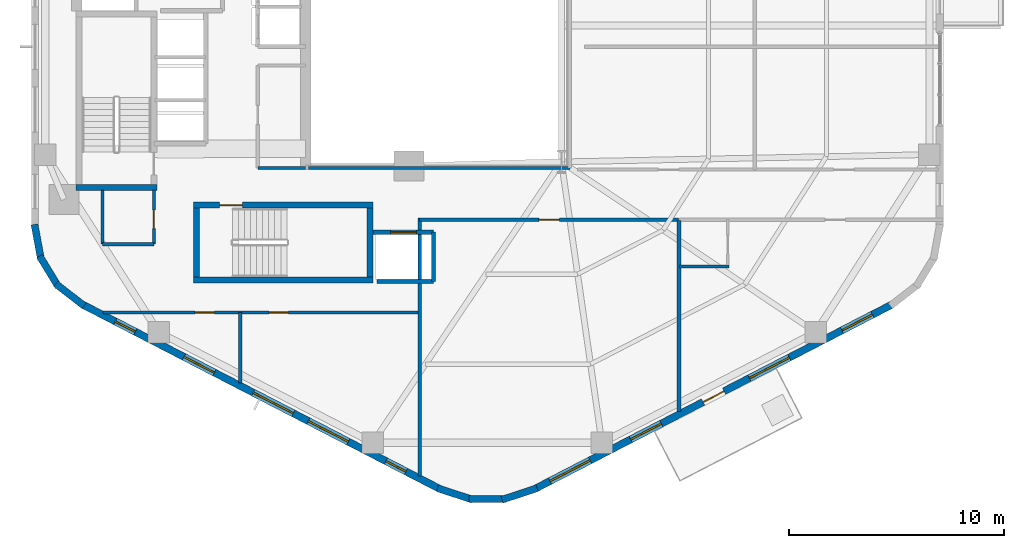
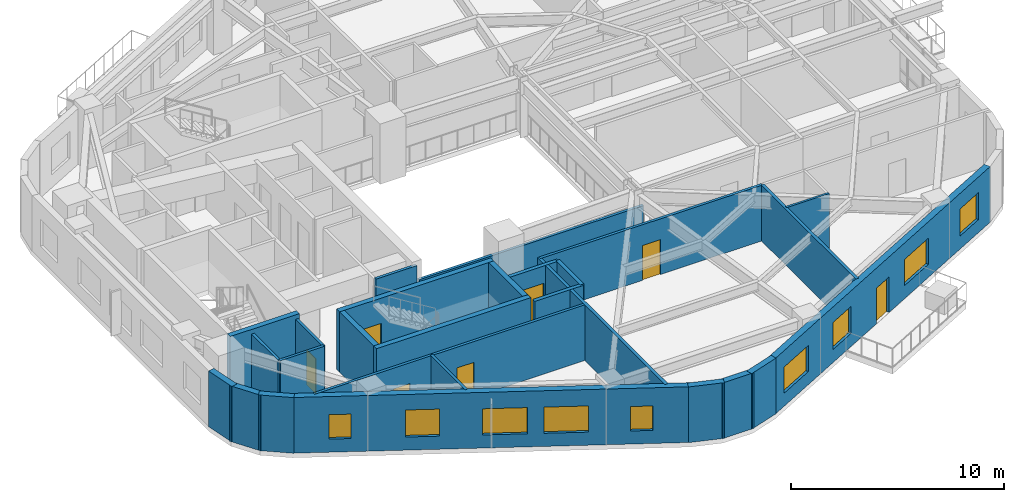
# One storey, part 4 of 10: 27 walls, 9 windows, 7 doors, 16 openings.
"""IFC4 building model written with IfcOpenShell, lengths in metres."""

import ifcopenshell
import ifcopenshell.guid

model = None  # the IFC model being written
_history = None  # IfcOwnerHistory: only IFC2X3 demands one
_inside = {}  # id of a spatial element -> (the spatial element, [elements in it])
_under = {}  # id of a project, library or spatial element -> (it, [spatial elements below it])
_declared = {}  # id of a project -> (the project, [libraries it declares])
_typed = {}  # id of a type object -> (the type object, [elements of that type])
_made_of = {}  # id of a material, layer set ... -> (it, [elements and type objects made of it])


def new_model(schema):
    """Start an empty IFC model of exactly this schema.

    Asked for "IFC4X3", IfcOpenShell would pick the latest addendum, in which some entities
    have other attributes; the version numbers below select the first issue.
    IFC2X3 requires an IfcOwnerHistory on every rooted entity: one is made here for all.
    """
    global model, _history
    if schema == "IFC4X3":
        model = ifcopenshell.file(schema_version=(4, 3, 0, 0))
    else:
        model = ifcopenshell.file(schema=schema)
    _inside.clear()
    _under.clear()
    _declared.clear()
    _typed.clear()
    _made_of.clear()
    _history = None
    if model.schema == "IFC2X3":
        org = make("IfcOrganization", Name="unknown")
        user = make(
            "IfcPersonAndOrganization",
            ThePerson=make("IfcPerson", FamilyName="unknown"),
            TheOrganization=org,
        )
        app = make(
            "IfcApplication",
            ApplicationDeveloper=org,
            Version="unknown",
            ApplicationFullName="unknown",
            ApplicationIdentifier="unknown",
        )
        _history = make(
            "IfcOwnerHistory",
            OwningUser=user,
            OwningApplication=app,
            ChangeAction="ADDED",
            CreationDate=0,
        )
    return model


def make(cls, **values):
    """One entity of the class cls with the attributes given. An attribute that is None is left unset."""
    return model.create_entity(
        cls, **{name: value for name, value in values.items() if value is not None}
    )


def rooted(cls, **values):
    """An entity with a GlobalId (a new one), such as an element, a storey or a relation."""
    return make(cls, GlobalId=ifcopenshell.guid.new(), OwnerHistory=_history, **values)


def si_unit(unit_type, name, prefix=None):
    """IfcSIUnit, for example si_unit("LENGTHUNIT", "METRE", prefix="MILLI")."""
    return make("IfcSIUnit", UnitType=unit_type, Prefix=prefix, Name=name)


def assignment(units):
    """IfcUnitAssignment: the units of a project."""
    return None if units is None else make("IfcUnitAssignment", Units=units)


def point(xyz):
    """IfcCartesianPoint."""
    return None if xyz is None else make("IfcCartesianPoint", Coordinates=xyz)


def direction(xyz):
    """IfcDirection."""
    return None if xyz is None else make("IfcDirection", DirectionRatios=xyz)


def frame(location, z_axis=None, x_axis=None):
    """IfcAxis2Placement3D, a coordinate frame: its origin and axes. An axis left out is left unset."""
    return make(
        "IfcAxis2Placement3D",
        Location=point(location),
        Axis=direction(z_axis),
        RefDirection=direction(x_axis),
    )


def frame_2d(location, x_axis=None):
    """IfcAxis2Placement2D, a coordinate frame in the plane: its origin and x axis."""
    return make(
        "IfcAxis2Placement2D", Location=point(location), RefDirection=direction(x_axis)
    )


def origin():
    """The frame at (0, 0, 0) with its axes left unset."""
    return frame((0.0, 0.0, 0.0))


def place(relative_to, where):
    """IfcLocalPlacement: puts the frame where relative to a parent placement (None: the world)."""
    return make(
        "IfcLocalPlacement", PlacementRelTo=relative_to, RelativePlacement=where
    )


def context(
    kind, dimensions, precision=None, world=None, true_north=None, identifier=None
):
    """IfcGeometricRepresentationContext, for example the 3D "Model" context."""
    return make(
        "IfcGeometricRepresentationContext",
        ContextIdentifier=identifier,
        ContextType=kind,
        CoordinateSpaceDimension=dimensions,
        Precision=precision,
        WorldCoordinateSystem=world,
        TrueNorth=true_north,
    )


def subcontext(parent, identifier, kind, view, scale=None):
    """IfcGeometricRepresentationSubContext, for example "Body" below "Model"."""
    return make(
        "IfcGeometricRepresentationSubContext",
        ContextIdentifier=identifier,
        ContextType=kind,
        ParentContext=parent,
        TargetScale=scale,
        TargetView=view,
    )


def project(units=None, contexts=None):
    """IfcProject with its units and contexts."""
    return rooted(
        "IfcProject",
        Name="project",
        RepresentationContexts=contexts,
        UnitsInContext=assignment(units),
    )


def spatial(cls, under=None, at=None, **own):
    """A site, building, storey or space (cls), placed at a placement, below another one or the project."""
    s = rooted(cls, ObjectPlacement=at, **own)
    if under is not None:
        _under.setdefault(under.id(), (under, []))[1].append(s)
    return s


def profile(cls, at=None, kind="AREA", **sizes):
    """A parametric profile (cls). Its sizes go by their IFC names, for example OverallWidth=200.0."""
    return make(cls, ProfileType=kind, Position=at, **sizes)


def rectangle(**sizes):
    """IfcRectangleProfileDef."""
    return profile("IfcRectangleProfileDef", **sizes)


def extrude(swept, where, along, depth):
    """IfcExtrudedAreaSolid: the profile swept, set in the frame where, extruded along a direction by depth."""
    return make(
        "IfcExtrudedAreaSolid",
        SweptArea=swept,
        Position=where,
        ExtrudedDirection=direction(along),
        Depth=depth,
    )


def shape(context_of_items, identifier, shape_type, items):
    """IfcShapeRepresentation: the items that make up one representation, for example the "Body"."""
    return make(
        "IfcShapeRepresentation",
        ContextOfItems=context_of_items,
        RepresentationIdentifier=identifier,
        RepresentationType=shape_type,
        Items=items,
    )


def material(Name=None, Category=None):
    """IfcMaterial."""
    return make("IfcMaterial", Name=Name, Category=Category)


def layer(
    of_material, thickness, ventilated=None, Name=None, Category=None, Priority=None
):
    """IfcMaterialLayer: one layer of a wall or slab, of a material (None: an air gap)."""
    return make(
        "IfcMaterialLayer",
        Material=of_material,
        LayerThickness=thickness,
        IsVentilated=ventilated,
        Name=Name,
        Category=Category,
        Priority=Priority,
    )


def layer_set(layers, Name=None):
    """IfcMaterialLayerSet."""
    return make("IfcMaterialLayerSet", MaterialLayers=layers, LayerSetName=Name)


def made_of(thing, what):
    """Note that an element or type object is made of a material, layer set ...; save() writes the relation."""
    if what is not None:
        _made_of.setdefault(what.id(), (what, []))[1].append(thing)
    return thing


def type_object(cls, material=None, **own):
    """A type object (cls), such as IfcWallType, which elements share."""
    return made_of(rooted(cls, **own), material)


def element(
    cls,
    number,
    at=None,
    inside=None,
    cuts=None,
    type_object=None,
    material=None,
    context=None,
    identifier="Body",
    shape_type=None,
    held_by="IfcProductDefinitionShape",
    body=None,
    shapes=None,
    **own,
):
    """One element of the class cls, such as IfcWall. Its Tag is "e" and its number.

    at: its placement. inside: the storey or other place that contains it. cuts: it is an
    opening in that element (IfcRelVoidsElement). A single representation is given by context,
    identifier, shape_type and body (its items); several are given by shapes. held_by: the class
    of the entity that holds the representations. save() writes the other relations.
    """
    e = rooted(cls, Tag="e%d" % number, ObjectPlacement=at, **own)
    if body is not None:
        shapes = [shape(context, identifier, shape_type, body)]
    if shapes is not None:
        e.Representation = make(held_by, Representations=shapes)
    if inside is not None:
        _inside.setdefault(inside.id(), (inside, []))[1].append(e)
    if cuts is not None:
        rooted(
            "IfcRelVoidsElement", RelatingBuildingElement=cuts, RelatedOpeningElement=e
        )
    if type_object is not None:
        _typed.setdefault(type_object.id(), (type_object, []))[1].append(e)
    return made_of(e, material)


def fill(opening, filler):
    """IfcRelFillsElement: the door or window that sits in an opening."""
    return rooted(
        "IfcRelFillsElement",
        RelatingOpeningElement=opening,
        RelatedBuildingElement=filler,
    )


def aggregate(whole, parts):
    """IfcRelAggregates: a whole, such as a stair, and the parts it consists of."""
    return rooted("IfcRelAggregates", RelatingObject=whole, RelatedObjects=parts)


def save(model, path):
    """Write the relations noted so far, then the file.

    IfcRelAggregates (storeys below a building ...), IfcRelContainedInSpatialStructure (elements
    in a storey), IfcRelDefinesByType, IfcRelAssociatesMaterial and IfcRelDeclares: one each for
    every whole, place, type object, material and project.
    """
    for whole, parts in _under.values():
        aggregate(whole, parts)
    for where, things in _inside.values():
        rooted(
            "IfcRelContainedInSpatialStructure",
            RelatedElements=things,
            RelatingStructure=where,
        )
    for kind, things in _typed.values():
        rooted("IfcRelDefinesByType", RelatedObjects=things, RelatingType=kind)
    for what, things in _made_of.values():
        rooted("IfcRelAssociatesMaterial", RelatedObjects=things, RelatingMaterial=what)
    for by, libraries in _declared.values():
        rooted("IfcRelDeclares", RelatingContext=by, RelatedDefinitions=libraries)
    model.write(path)


model = new_model("IFC4")

# Units and contexts
model_context = context("Model", 3, precision=1e-05, world=origin(), true_north=direction((0.0, 1.0)))
body_context = subcontext(model_context, "Body", "Model", "MODEL_VIEW")
ifc_project = project(units=[si_unit("LENGTHUNIT", "METRE"), si_unit("AREAUNIT", "SQUARE_METRE"), si_unit("VOLUMEUNIT", "CUBIC_METRE"), si_unit("PLANEANGLEUNIT", "RADIAN"), si_unit("MASSUNIT", "GRAM", prefix="KILO"), si_unit("THERMODYNAMICTEMPERATUREUNIT", "KELVIN"), si_unit("POWERUNIT", "WATT")], contexts=[model_context])

# Site, building, storey
site_placement = place(None, origin())
site = spatial("IfcSite", under=ifc_project, at=site_placement, CompositionType="ELEMENT")
building_placement = place(site_placement, origin())
building = spatial("IfcBuilding", under=site, at=building_placement, Name="Skarre Station Tower", CompositionType="ELEMENT")
storey_placement = place(building_placement, frame((0.0, 0.0, 105.0)))
storey = spatial("IfcBuildingStorey", under=building, at=storey_placement, Name="L27", CompositionType="ELEMENT", Elevation=105.0)

# Walls
ifc_material_1 = material(Name="Acoustic Steel-Stud Gypsum Partition", Category="steel")
ifc_layer_1 = layer(ifc_material_1, 0.14990234375, Name="Acoustic Steel-Stud Gypsum Partition")
ifc_layer_set_1 = layer_set([ifc_layer_1], Name="Acoustic Steel-Stud Gypsum Partition")
wall_type_1 = type_object("IfcWallType", Name="Fire-Rated Corridor Acoustic Partition 150", PredefinedType="PARTITIONING", material=ifc_layer_set_1)
wall_1_placement = place(storey_placement, frame((25.320068359375, 18.360107421875, 0.0), z_axis=(0.0, 0.0, 1.0), x_axis=(1.0, 0.0, 0.0)))
element("IfcWall", 1, at=wall_1_placement, inside=storey, type_object=wall_type_1, Name="L27 Interior Partition WL-PT-L27-RC1-S", PredefinedType="PARTITIONING", context=body_context, shape_type="SweptSolid", body=[
    extrude(rectangle(XDim=2.22998046875, YDim=0.14990234375, at=frame_2d((1.114990234375, 0.0))), origin(), (0.0, 0.0, 1.0), 3.18994140625),
])
wall_2_placement = place(storey_placement, frame((18.10009765625, 17.340087890625, 0.0), z_axis=(0.0, 0.0, 1.0), x_axis=(0.0, -1.0, 0.0)))
element("IfcWall", 2, at=wall_2_placement, inside=storey, type_object=wall_type_1, Name="L27 Interior Partition WL-PT-L27-CSVC-W", PredefinedType="PARTITIONING", context=body_context, shape_type="SweptSolid", body=[
    extrude(rectangle(XDim=2.52001953125, YDim=0.14990234375, at=frame_2d((1.260009765625, 0.0))), origin(), (0.0, 0.0, 1.0), 3.18994140625),
])
wall_3_placement = place(storey_placement, frame((18.10009765625, 14.820068359375, 0.0), z_axis=(0.0, 0.0, 1.0), x_axis=(1.0, 0.0, 0.0)))
element("IfcWall", 3, at=wall_3_placement, inside=storey, type_object=wall_type_1, Name="L27 Interior Partition WL-PT-L27-CSVC-S", PredefinedType="PARTITIONING", context=body_context, shape_type="SweptSolid", body=[
    extrude(rectangle(XDim=2.389892578125, YDim=0.14990234375, at=frame_2d((1.19482421875, 0.0))), origin(), (0.0, 0.0, 1.0), 3.18994140625),
])

# Wall, opening, door
wall_4_placement = place(storey_placement, frame((20.489990234375, 14.820068359375, 0.0), z_axis=(0.0, 0.0, 1.0), x_axis=(0.0, 1.0, 0.0)))
wall_4 = element("IfcWall", 4, at=wall_4_placement, inside=storey, type_object=wall_type_1, Name="L27 Interior Partition WL-PT-L27-CSVC-E", PredefinedType="PARTITIONING", context=body_context, shape_type="SweptSolid", body=[
    extrude(rectangle(XDim=2.52001953125, YDim=0.14990234375, at=frame_2d((1.260009765625, 0.0))), origin(), (0.0, 0.0, 1.0), 3.18994140625),
])
opening_1_placement = place(wall_4_placement, frame((0.719970703125, 0.0, 0.0)))
opening_1 = element("IfcOpeningElement", 5, at=opening_1_placement, cuts=wall_4, Name="Opening DR-SVC86", PredefinedType="OPENING", context=body_context, shape_type="SweptSolid", body=[
    extrude(rectangle(XDim=0.860107421875, YDim=2.0, at=frame_2d((0.43017578125, 1.0))), frame((0.0, 0.0849609375, 0.0), z_axis=(0.0, -1.0, 0.0), x_axis=(1.0, 0.0, 0.0)), (0.0, 0.0, 1.0), 0.169921875),
])
ifc_material_2 = material(Name="Powder-Coated Hollow-Metal Acoustic Fire Leaf", Category="steel")
door_type_1 = type_object("IfcDoorType", Name="Compact Riser Fire Door FD60 860x2100", OperationType="SINGLE_SWING_LEFT", PredefinedType="DOOR", material=ifc_material_2)
door_1_placement = place(opening_1_placement, origin())
door_1 = element("IfcDoor", 6, at=door_1_placement, inside=storey, type_object=door_type_1, Name="L27 Core Staff Toilet Door", OperationType="SINGLE_SWING_LEFT", OverallHeight=2.0, OverallWidth=0.860107421875, PredefinedType="DOOR", context=body_context, shape_type="SweptSolid", body=[
    extrude(rectangle(XDim=0.860107421875, YDim=2.0, at=frame_2d((0.43017578125, 1.0))), frame((0.0, 0.02490234375, 0.0), z_axis=(0.0, -1.0, 0.0), x_axis=(1.0, 0.0, 0.0)), (0.0, 0.0, 1.0), 0.050048828125),
])
fill(opening_1, door_1)

# Walls
wall_5_placement = place(storey_placement, frame((27.675048828125, 18.360107421875, 0.0), z_axis=(0.0, 0.0, 1.0), x_axis=(1.0, 0.0, 0.0)))
element("IfcWall", 7, at=wall_5_placement, inside=storey, type_object=wall_type_1, Name="L27 Interior Partition WL-PT-L27-ATRW-S", PredefinedType="PARTITIONING", context=body_context, shape_type="SweptSolid", body=[
    extrude(rectangle(XDim=12.1650390625, YDim=0.14990234375, at=frame_2d((6.08251953125, 0.0))), origin(), (0.0, 0.0, 1.0), 2.3310546875),
])
wall_6_placement = place(storey_placement, frame((24.5, 8.35009765625, 0.0), z_axis=(0.0, 0.0, 1.0), x_axis=(0.0, 1.0, 0.0)))
element("IfcWall", 8, at=wall_6_placement, inside=storey, type_object=wall_type_1, Name="L27 Interior Partition WL-PT-L27-SWP-M", PredefinedType="PARTITIONING", context=body_context, shape_type="SweptSolid", body=[
    extrude(rectangle(XDim=3.289794921875, YDim=0.14990234375, at=frame_2d((1.64501953125, 0.0))), origin(), (0.0, 0.0, 1.0), 3.18994140625),
])

# Wall, openings, doors
wall_7_placement = place(storey_placement, frame((18.1259765625, 11.639892578125, 0.0), z_axis=(0.0, 0.0, 1.0), x_axis=(1.0, 0.0, 0.0)))
wall_7 = element("IfcWall", 9, at=wall_7_placement, inside=storey, type_object=wall_type_1, Name="L27 Interior Partition WL-PT-L27-SWP-N", PredefinedType="PARTITIONING", context=body_context, shape_type="SweptSolid", body=[
    extrude(rectangle(XDim=14.72412109375, YDim=0.14990234375, at=frame_2d((7.362060546875, 0.0))), origin(), (0.0, 0.0, 1.0), 3.18994140625),
])
opening_2_placement = place(wall_7_placement, frame((4.27392578125, 0.0, 0.0)))
opening_2 = element("IfcOpeningElement", 10, at=opening_2_placement, cuts=wall_7, Name="Opening DR-SVC90", PredefinedType="OPENING", context=body_context, shape_type="SweptSolid", body=[
    extrude(rectangle(XDim=0.89990234375, YDim=2.0, at=frame_2d((0.449951171875, 1.0))), frame((0.0, 0.0849609375, 0.0), z_axis=(0.0, -1.0, 0.0), x_axis=(1.0, 0.0, 0.0)), (0.0, 0.0, 1.0), 0.169921875),
])
opening_3_placement = place(wall_7_placement, frame((7.72412109375, 0.0, 0.0)))
opening_3 = element("IfcOpeningElement", 11, at=opening_3_placement, cuts=wall_7, Name="Opening DR-SVC90", PredefinedType="OPENING", context=body_context, shape_type="SweptSolid", body=[
    extrude(rectangle(XDim=0.89990234375, YDim=2.0, at=frame_2d((0.449951171875, 1.0))), frame((0.0, 0.0849609375, 0.0), z_axis=(0.0, -1.0, 0.0), x_axis=(1.0, 0.0, 0.0)), (0.0, 0.0, 1.0), 0.169921875),
])
door_type_2 = type_object("IfcDoorType", Name="Service & Riser Fire Door FD60 900x2100", OperationType="SINGLE_SWING_LEFT", PredefinedType="DOOR", material=ifc_material_2)
door_2_placement = place(opening_2_placement, origin())
door_2 = element("IfcDoor", 12, at=door_2_placement, inside=storey, type_object=door_type_2, Name="L27 Floor Public Toilets Door", OperationType="SINGLE_SWING_LEFT", OverallHeight=2.0, OverallWidth=0.89990234375, PredefinedType="DOOR", context=body_context, shape_type="SweptSolid", body=[
    extrude(rectangle(XDim=0.89990234375, YDim=2.0, at=frame_2d((0.449951171875, 1.0))), frame((0.0, 0.02490234375, 0.0), z_axis=(0.0, -1.0, 0.0), x_axis=(1.0, 0.0, 0.0)), (0.0, 0.0, 1.0), 0.050048828125),
])
fill(opening_2, door_2)
door_3_placement = place(opening_3_placement, origin())
door_3 = element("IfcDoor", 13, at=door_3_placement, inside=storey, type_object=door_type_2, Name="L27 Housekeeping Room Door", OperationType="SINGLE_SWING_LEFT", OverallHeight=2.0, OverallWidth=0.89990234375, PredefinedType="DOOR", context=body_context, shape_type="SweptSolid", body=[
    extrude(rectangle(XDim=0.89990234375, YDim=2.0, at=frame_2d((0.449951171875, 1.0))), frame((0.0, 0.02490234375, 0.0), z_axis=(0.0, -1.0, 0.0), x_axis=(1.0, 0.0, 0.0)), (0.0, 0.0, 1.0), 0.050048828125),
])
fill(opening_3, door_3)

# Wall, opening, door
wall_8_placement = place(storey_placement, frame((32.85009765625, 15.9599609375, 0.0), z_axis=(0.0, 0.0, 1.0), x_axis=(1.0, 0.0, 0.0)))
wall_8 = element("IfcWall", 14, at=wall_8_placement, inside=storey, type_object=wall_type_1, Name="L27 Interior Partition WL-PT-L27-SW1-CW", PredefinedType="PARTITIONING", context=body_context, shape_type="SweptSolid", body=[
    extrude(rectangle(XDim=12.05078125, YDim=0.14990234375, at=frame_2d((6.025390625, 0.0))), origin(), (0.0, 0.0, 1.0), 3.18994140625),
])
opening_4_placement = place(wall_8_placement, frame((5.5458984375, 0.0, 0.0)))
opening_4 = element("IfcOpeningElement", 15, at=opening_4_placement, cuts=wall_8, Name="Opening DR-FD60", PredefinedType="OPENING", context=body_context, shape_type="SweptSolid", body=[
    extrude(rectangle(XDim=0.9599609375, YDim=2.0, at=frame_2d((0.47998046875, 1.0))), frame((0.0, 0.0849609375, 0.0), z_axis=(0.0, -1.0, 0.0), x_axis=(1.0, 0.0, 0.0)), (0.0, 0.0, 1.0), 0.169921875),
])
ifc_material_3 = material(Name="Nordic White-Oak Veneer Solid-Core Fire Leaf", Category="wood")
door_type_3 = type_object("IfcDoorType", Name="Corridor Suite Entry Fire Door FD60 960x2150", OperationType="SINGLE_SWING_LEFT", PredefinedType="DOOR", material=ifc_material_3)
door_4_placement = place(opening_4_placement, origin())
door_4 = element("IfcDoor", 16, at=door_4_placement, inside=storey, type_object=door_type_3, Name="L27 SW1 Entry Door", OperationType="SINGLE_SWING_LEFT", OverallHeight=2.0, OverallWidth=0.9599609375, PredefinedType="DOOR", context=body_context, shape_type="SweptSolid", body=[
    extrude(rectangle(XDim=0.9599609375, YDim=2.0, at=frame_2d((0.47998046875, 1.0))), frame((0.0, 0.02490234375, 0.0), z_axis=(0.0, -1.0, 0.0), x_axis=(1.0, 0.0, 0.0)), (0.0, 0.0, 1.0), 0.050048828125),
])
fill(opening_4, door_4)

# Wall
ifc_material_4 = material(Name="Insulated Timber-Stud Gypsum Partition", Category="wood")
ifc_layer_2 = layer(ifc_material_4, 0.1201171875, Name="Insulated Timber-Stud Gypsum Partition")
ifc_layer_set_2 = layer_set([ifc_layer_2], Name="Insulated Timber-Stud Gypsum Partition")
wall_type_2 = type_object("IfcWallType", Name="Internal Suite Acoustic Partition 120", PredefinedType="PARTITIONING", material=ifc_layer_set_2)
wall_9_placement = place(storey_placement, frame((44.93701171875, 13.780029296875, 0.0), z_axis=(0.0, 0.0, 1.0), x_axis=(1.0, 0.0, 0.0)))
element("IfcWall", 17, at=wall_9_placement, inside=storey, type_object=wall_type_2, Name="L27 Interior Partition WL-PT-L27-SW2-EW1", PredefinedType="PARTITIONING", context=body_context, shape_type="SweptSolid", body=[
    extrude(rectangle(XDim=2.320068359375, YDim=0.1201171875, at=frame_2d((1.16015625, 0.0))), origin(), (0.0, 0.0, 1.0), 3.18994140625),
])

# Wall, openings, windows
ifc_material_5 = material(Name="Precast concrete C45/55", Category="concrete")
ifc_layer_3 = layer(ifc_material_5, 0.340087890625, Name="Precast concrete C45/55")
ifc_layer_set_3 = layer_set([ifc_layer_3], Name="Precast concrete C45/55")
wall_type_3 = type_object("IfcWallType", Name="Nordic Honed Precast Facet Wall 340", PredefinedType="STANDARD", material=ifc_layer_set_3)
wall_10_placement = place(storey_placement, frame((33.76904296875, 3.44189453125, 0.0), z_axis=(0.0, 0.0, 1.0), x_axis=(-0.888613612362, 0.458656568606, 0.0)))
wall_10 = element("IfcWall", 18, at=wall_10_placement, inside=storey, type_object=wall_type_3, Name="L27 Facet 3 Nordic Precast Masonry Wall", PredefinedType="STANDARD", context=body_context, shape_type="SweptSolid", body=[
    extrude(rectangle(XDim=18.680908203125, YDim=0.340087890625, at=frame_2d((9.34033203125, 0.0))), origin(), (0.0, 0.0, 1.0), 3.18994140625),
])
opening_5_placement = place(wall_10_placement, frame((1.75, 0.0, 0.75)))
opening_5 = element("IfcOpeningElement", 19, at=opening_5_placement, cuts=wall_10, Name="Opening WN-SLT", PredefinedType="OPENING", context=body_context, shape_type="SweptSolid", body=[
    extrude(rectangle(XDim=1.050048828125, YDim=1.39990234375, at=frame_2d((0.52490234375, 0.699951171875))), frame((0.0, 0.179931640625, 0.0), z_axis=(0.0, -1.0, 0.0), x_axis=(1.0, 0.0, 0.0)), (0.0, 0.0, 1.0), 0.360107421875),
])
opening_6_placement = place(wall_10_placement, frame((4.764892578125, 0.0, 0.75)))
opening_6 = element("IfcOpeningElement", 20, at=opening_6_placement, cuts=wall_10, Name="Opening WN-Z2B", PredefinedType="OPENING", context=body_context, shape_type="SweptSolid", body=[
    extrude(rectangle(XDim=2.10009765625, YDim=1.5, at=frame_2d((1.050048828125, 0.75))), frame((0.0, 0.179931640625, 0.0), z_axis=(0.0, -1.0, 0.0), x_axis=(1.0, 0.0, 0.0)), (0.0, 0.0, 1.0), 0.360107421875),
])
opening_7_placement = place(wall_10_placement, frame((7.64404296875, 0.0, 0.75)))
opening_7 = element("IfcOpeningElement", 21, at=opening_7_placement, cuts=wall_10, Name="Opening WN-Z2B", PredefinedType="OPENING", context=body_context, shape_type="SweptSolid", body=[
    extrude(rectangle(XDim=2.10009765625, YDim=1.5, at=frame_2d((1.050048828125, 0.75))), frame((0.0, 0.179931640625, 0.0), z_axis=(0.0, -1.0, 0.0), x_axis=(1.0, 0.0, 0.0)), (0.0, 0.0, 1.0), 0.360107421875),
])
opening_8_placement = place(wall_10_placement, frame((11.77392578125, 0.0, 0.75)))
opening_8 = element("IfcOpeningElement", 22, at=opening_8_placement, cuts=wall_10, Name="Opening WN-Z2A", PredefinedType="OPENING", context=body_context, shape_type="SweptSolid", body=[
    extrude(rectangle(XDim=1.60009765625, YDim=1.550048828125, at=frame_2d((0.800048828125, 0.77490234375))), frame((0.0, 0.179931640625, 0.0), z_axis=(0.0, -1.0, 0.0), x_axis=(1.0, 0.0, 0.0)), (0.0, 0.0, 1.0), 0.360107421875),
])
opening_9_placement = place(wall_10_placement, frame((15.919921875, 0.0, 0.75)))
opening_9 = element("IfcOpeningElement", 23, at=opening_9_placement, cuts=wall_10, Name="Opening WN-SLT", PredefinedType="OPENING", context=body_context, shape_type="SweptSolid", body=[
    extrude(rectangle(XDim=1.050048828125, YDim=1.39990234375, at=frame_2d((0.52490234375, 0.699951171875))), frame((0.0, 0.179931640625, 0.0), z_axis=(0.0, -1.0, 0.0), x_axis=(1.0, 0.0, 0.0)), (0.0, 0.0, 1.0), 0.360107421875),
])
ifc_material_6 = material(Name="Low-Iron Triple Glazing with Bronze Anodized Frame", Category="glass")
window_type_1 = type_object("IfcWindowType", Name="Nordic Corner Slot Window 1050x1400", PartitioningType="SINGLE_PANEL", PredefinedType="WINDOW", material=ifc_material_6)
window_1_placement = place(opening_5_placement, origin())
window_1 = element("IfcWindow", 24, at=window_1_placement, inside=storey, type_object=window_type_1, Name="L27 Facade Window WL-FAC-L27-F3-1", OverallHeight=1.39990234375, OverallWidth=1.050048828125, PartitioningType="SINGLE_PANEL", PredefinedType="WINDOW", context=body_context, shape_type="SweptSolid", body=[
    extrude(rectangle(XDim=1.050048828125, YDim=1.39990234375, at=frame_2d((0.52490234375, 0.699951171875))), frame((0.0, 0.030029296875, 0.0), z_axis=(0.0, -1.0, 0.0), x_axis=(1.0, 0.0, 0.0)), (0.0, 0.0, 1.0), 0.06005859375),
])
fill(opening_5, window_1)
window_2_placement = place(opening_9_placement, origin())
window_2 = element("IfcWindow", 25, at=window_2_placement, inside=storey, type_object=window_type_1, Name="L27 Facade Window WL-FAC-L27-F3-5", OverallHeight=1.39990234375, OverallWidth=1.050048828125, PartitioningType="SINGLE_PANEL", PredefinedType="WINDOW", context=body_context, shape_type="SweptSolid", body=[
    extrude(rectangle(XDim=1.050048828125, YDim=1.39990234375, at=frame_2d((0.52490234375, 0.699951171875))), frame((0.0, 0.030029296875, 0.0), z_axis=(0.0, -1.0, 0.0), x_axis=(1.0, 0.0, 0.0)), (0.0, 0.0, 1.0), 0.06005859375),
])
fill(opening_9, window_2)
window_type_2 = type_object("IfcWindowType", Name="Nordic Residential Tall Window 1600x1550", PartitioningType="SINGLE_PANEL", PredefinedType="WINDOW", material=ifc_material_6)
window_3_placement = place(opening_8_placement, origin())
window_3 = element("IfcWindow", 26, at=window_3_placement, inside=storey, type_object=window_type_2, Name="L27 Facade Window WL-FAC-L27-F3-4", OverallHeight=1.550048828125, OverallWidth=1.60009765625, PartitioningType="SINGLE_PANEL", PredefinedType="WINDOW", context=body_context, shape_type="SweptSolid", body=[
    extrude(rectangle(XDim=1.60009765625, YDim=1.550048828125, at=frame_2d((0.800048828125, 0.77490234375))), frame((0.0, 0.030029296875, 0.0), z_axis=(0.0, -1.0, 0.0), x_axis=(1.0, 0.0, 0.0)), (0.0, 0.0, 1.0), 0.06005859375),
])
fill(opening_8, window_3)
window_type_3 = type_object("IfcWindowType", Name="Nordic Residential Twin Window 2100x1500", PartitioningType="SINGLE_PANEL", PredefinedType="WINDOW", material=ifc_material_6)
window_4_placement = place(opening_6_placement, origin())
window_4 = element("IfcWindow", 27, at=window_4_placement, inside=storey, type_object=window_type_3, Name="L27 Facade Window WL-FAC-L27-F3-2", OverallHeight=1.5, OverallWidth=2.10009765625, PartitioningType="SINGLE_PANEL", PredefinedType="WINDOW", context=body_context, shape_type="SweptSolid", body=[
    extrude(rectangle(XDim=2.10009765625, YDim=1.5, at=frame_2d((1.050048828125, 0.75))), frame((0.0, 0.030029296875, 0.0), z_axis=(0.0, -1.0, 0.0), x_axis=(1.0, 0.0, 0.0)), (0.0, 0.0, 1.0), 0.06005859375),
])
fill(opening_6, window_4)
window_5_placement = place(opening_7_placement, origin())
window_5 = element("IfcWindow", 28, at=window_5_placement, inside=storey, type_object=window_type_3, Name="L27 Facade Window WL-FAC-L27-F3-3", OverallHeight=1.5, OverallWidth=2.10009765625, PartitioningType="SINGLE_PANEL", PredefinedType="WINDOW", context=body_context, shape_type="SweptSolid", body=[
    extrude(rectangle(XDim=2.10009765625, YDim=1.5, at=frame_2d((1.050048828125, 0.75))), frame((0.0, 0.030029296875, 0.0), z_axis=(0.0, -1.0, 0.0), x_axis=(1.0, 0.0, 0.0)), (0.0, 0.0, 1.0), 0.06005859375),
])
fill(opening_7, window_5)

# Wall, openings, windows, door
wall_11_placement = place(storey_placement, frame((54.8310546875, 12.010009765625, 0.0), z_axis=(0.0, 0.0, 1.0), x_axis=(-0.888613612362, -0.458656568606, 0.0)))
wall_11 = element("IfcWall", 29, at=wall_11_placement, inside=storey, type_object=wall_type_3, Name="L27 Facet 4 Nordic Precast Masonry Wall", PredefinedType="STANDARD", context=body_context, shape_type="SweptSolid", body=[
    extrude(rectangle(XDim=18.680908203125, YDim=0.340087890625, at=frame_2d((9.34033203125, 0.0))), origin(), (0.0, 0.0, 1.0), 3.18994140625),
])
opening_10_placement = place(wall_11_placement, frame((8.7900390625, 0.0, 0.0)))
opening_10 = element("IfcOpeningElement", 30, at=opening_10_placement, cuts=wall_11, Name="Opening DR-BAL110", PredefinedType="OPENING", context=body_context, shape_type="SweptSolid", body=[
    extrude(rectangle(XDim=1.10009765625, YDim=2.0400390625, at=frame_2d((0.550048828125, 1.02001953125))), frame((0.0, 0.179931640625, 0.0), z_axis=(0.0, -1.0, 0.0), x_axis=(1.0, 0.0, 0.0)), (0.0, 0.0, 1.0), 0.360107421875),
])
opening_11_placement = place(wall_11_placement, frame((1.02294921875, 0.0, 0.75)))
opening_11 = element("IfcOpeningElement", 31, at=opening_11_placement, cuts=wall_11, Name="Opening WN-Z2A", PredefinedType="OPENING", context=body_context, shape_type="SweptSolid", body=[
    extrude(rectangle(XDim=1.60009765625, YDim=1.550048828125, at=frame_2d((0.800048828125, 0.77490234375))), frame((0.0, 0.179931640625, 0.0), z_axis=(0.0, -1.0, 0.0), x_axis=(1.0, 0.0, 0.0)), (0.0, 0.0, 1.0), 0.360107421875),
])
opening_12_placement = place(wall_11_placement, frame((5.373046875, 0.0, 0.75)))
opening_12 = element("IfcOpeningElement", 32, at=opening_12_placement, cuts=wall_11, Name="Opening WN-Z2B", PredefinedType="OPENING", context=body_context, shape_type="SweptSolid", body=[
    extrude(rectangle(XDim=2.10009765625, YDim=1.5, at=frame_2d((1.050048828125, 0.75))), frame((0.0, 0.179931640625, 0.0), z_axis=(0.0, -1.0, 0.0), x_axis=(1.0, 0.0, 0.0)), (0.0, 0.0, 1.0), 0.360107421875),
])
opening_13_placement = place(wall_11_placement, frame((12.080078125, 0.0, 0.75)))
opening_13 = element("IfcOpeningElement", 33, at=opening_13_placement, cuts=wall_11, Name="Opening WN-Z2A", PredefinedType="OPENING", context=body_context, shape_type="SweptSolid", body=[
    extrude(rectangle(XDim=1.60009765625, YDim=1.550048828125, at=frame_2d((0.800048828125, 0.77490234375))), frame((0.0, 0.179931640625, 0.0), z_axis=(0.0, -1.0, 0.0), x_axis=(1.0, 0.0, 0.0)), (0.0, 0.0, 1.0), 0.360107421875),
])
opening_14_placement = place(wall_11_placement, frame((15.80810546875, 0.0, 0.75)))
opening_14 = element("IfcOpeningElement", 34, at=opening_14_placement, cuts=wall_11, Name="Opening WN-Z2B", PredefinedType="OPENING", context=body_context, shape_type="SweptSolid", body=[
    extrude(rectangle(XDim=2.10009765625, YDim=1.5, at=frame_2d((1.050048828125, 0.75))), frame((0.0, 0.179931640625, 0.0), z_axis=(0.0, -1.0, 0.0), x_axis=(1.0, 0.0, 0.0)), (0.0, 0.0, 1.0), 0.360107421875),
])
window_6_placement = place(opening_11_placement, origin())
window_6 = element("IfcWindow", 35, at=window_6_placement, inside=storey, type_object=window_type_2, Name="L27 Facade Window WL-FAC-L27-F4-1", OverallHeight=1.550048828125, OverallWidth=1.60009765625, PartitioningType="SINGLE_PANEL", PredefinedType="WINDOW", context=body_context, shape_type="SweptSolid", body=[
    extrude(rectangle(XDim=1.60009765625, YDim=1.550048828125, at=frame_2d((0.800048828125, 0.77490234375))), frame((0.0, 0.030029296875, 0.0), z_axis=(0.0, -1.0, 0.0), x_axis=(1.0, 0.0, 0.0)), (0.0, 0.0, 1.0), 0.06005859375),
])
fill(opening_11, window_6)
window_7_placement = place(opening_13_placement, origin())
window_7 = element("IfcWindow", 36, at=window_7_placement, inside=storey, type_object=window_type_2, Name="L27 Facade Window WL-FAC-L27-F4-3", OverallHeight=1.550048828125, OverallWidth=1.60009765625, PartitioningType="SINGLE_PANEL", PredefinedType="WINDOW", context=body_context, shape_type="SweptSolid", body=[
    extrude(rectangle(XDim=1.60009765625, YDim=1.550048828125, at=frame_2d((0.800048828125, 0.77490234375))), frame((0.0, 0.030029296875, 0.0), z_axis=(0.0, -1.0, 0.0), x_axis=(1.0, 0.0, 0.0)), (0.0, 0.0, 1.0), 0.06005859375),
])
fill(opening_13, window_7)
window_8_placement = place(opening_12_placement, origin())
window_8 = element("IfcWindow", 37, at=window_8_placement, inside=storey, type_object=window_type_3, Name="L27 Facade Window WL-FAC-L27-F4-2", OverallHeight=1.5, OverallWidth=2.10009765625, PartitioningType="SINGLE_PANEL", PredefinedType="WINDOW", context=body_context, shape_type="SweptSolid", body=[
    extrude(rectangle(XDim=2.10009765625, YDim=1.5, at=frame_2d((1.050048828125, 0.75))), frame((0.0, 0.030029296875, 0.0), z_axis=(0.0, -1.0, 0.0), x_axis=(1.0, 0.0, 0.0)), (0.0, 0.0, 1.0), 0.06005859375),
])
fill(opening_12, window_8)
window_9_placement = place(opening_14_placement, origin())
window_9 = element("IfcWindow", 38, at=window_9_placement, inside=storey, type_object=window_type_3, Name="L27 Facade Window WL-FAC-L27-F4-4", OverallHeight=1.5, OverallWidth=2.10009765625, PartitioningType="SINGLE_PANEL", PredefinedType="WINDOW", context=body_context, shape_type="SweptSolid", body=[
    extrude(rectangle(XDim=2.10009765625, YDim=1.5, at=frame_2d((1.050048828125, 0.75))), frame((0.0, 0.030029296875, 0.0), z_axis=(0.0, -1.0, 0.0), x_axis=(1.0, 0.0, 0.0)), (0.0, 0.0, 1.0), 0.06005859375),
])
fill(opening_14, window_9)
ifc_material_7 = material(Name="Thermally Broken Aluminium & Triple Glazing", Category="aluminium")
door_type_4 = type_object("IfcDoorType", Name="Terrace & Tree-Balcony Glazed Door 1100x2200", OperationType="SINGLE_SWING_LEFT", PredefinedType="DOOR", material=ifc_material_7)
door_5_placement = place(opening_10_placement, origin())
door_5 = element("IfcDoor", 39, at=door_5_placement, inside=storey, type_object=door_type_4, Name="L27 TB-L27-F4 Tree-Balcony Glazed Door", OperationType="SINGLE_SWING_LEFT", OverallHeight=2.0400390625, OverallWidth=1.10009765625, PredefinedType="DOOR", context=body_context, shape_type="SweptSolid", body=[
    extrude(rectangle(XDim=1.10009765625, YDim=2.0400390625, at=frame_2d((0.550048828125, 1.02001953125))), frame((0.0, 0.02490234375, 0.0), z_axis=(0.0, -1.0, 0.0), x_axis=(1.0, 0.0, 0.0)), (0.0, 0.0, 1.0), 0.050048828125),
])
fill(opening_10, door_5)

# Walls
ifc_layer_4 = layer(ifc_material_5, 0.330078125, Name="Precast concrete C45/55")
ifc_layer_set_4 = layer_set([ifc_layer_4], Name="Precast concrete C45/55")
wall_type_4 = type_object("IfcWallType", Name="Nordic Rounded Corner Precast Wall 330", PredefinedType="STANDARD", material=ifc_layer_set_4)
wall_12_placement = place(storey_placement, frame((17.242919921875, 11.949951171875, 0.0), z_axis=(0.0, 0.0, 1.0), x_axis=(-0.790621329885, 0.612305408053, 0.0)))
element("IfcWall", 40, at=wall_12_placement, inside=storey, type_object=wall_type_4, Name="L27 Rounded Corner Precast Wall F3-1", PredefinedType="STANDARD", context=body_context, shape_type="SweptSolid", body=[
    extrude(rectangle(XDim=1.67578125, YDim=0.330078125, at=frame_2d((0.837890625, 0.0))), origin(), (0.0, 0.0, 1.0), 3.18994140625),
])
wall_13_placement = place(storey_placement, frame((16.04296875, 12.8359375, 0.0), z_axis=(0.0, 0.0, 1.0), x_axis=(-0.520519429557, 0.853849824883, 0.0)))
element("IfcWall", 41, at=wall_13_placement, inside=storey, type_object=wall_type_4, Name="L27 Rounded Corner Precast Wall F3-2", PredefinedType="STANDARD", context=body_context, shape_type="SweptSolid", body=[
    extrude(rectangle(XDim=1.67724609375, YDim=0.330078125, at=frame_2d((0.838623046875, 0.0))), origin(), (0.0, 0.0, 1.0), 3.18994140625),
])
wall_14_placement = place(storey_placement, frame((15.237060546875, 14.093017578125, 0.0), z_axis=(0.0, 0.0, 1.0), x_axis=(-0.181984991895, 0.983301308209, 0.0)))
element("IfcWall", 42, at=wall_14_placement, inside=storey, type_object=wall_type_4, Name="L27 Rounded Corner Precast Wall F3-3", PredefinedType="STANDARD", context=body_context, shape_type="SweptSolid", body=[
    extrude(rectangle(XDim=1.677001953125, YDim=0.330078125, at=frame_2d((0.83837890625, 0.0))), origin(), (0.0, 0.0, 1.0), 3.18994140625),
])
for number, where, z_axis, x_axis, name in (
    (43, (38.319091796875, 3.468017578125, 0.0), (0.0, 0.0, 1.0), (-0.949937416267, -0.312440242569, 0.0), "L27 Rounded Corner Precast Wall F4-1"),
    (44, (36.861083984375, 2.958984375, 0.0), (0.0, 0.0, 1.0), (-1.0, 0.0, 0.0), "L27 Rounded Corner Precast Wall F4-2"),
    (45, (35.31689453125, 2.929931640625, 0.0), (0.0, 0.0, 1.0), (-0.949937416267, 0.312440242569, 0.0), "L27 Rounded Corner Precast Wall F4-3"),
):
    element("IfcWall", number, at=place(storey_placement, frame(where, z_axis=z_axis, x_axis=x_axis)), inside=storey, type_object=wall_type_4, Name=name, PredefinedType="STANDARD", context=body_context, shape_type="SweptSolid", body=[
        extrude(rectangle(XDim=1.72216796875, YDim=0.330078125, at=frame_2d((0.861083984375, 0.0))), origin(), (0.0, 0.0, 1.0), 3.18994140625),
    ])
ifc_material_8 = material(Name="Concrete C50/60", Category="concrete")
ifc_layer_5 = layer(ifc_material_8, 0.280029296875, Name="Concrete C50/60")
ifc_layer_set_5 = layer_set([ifc_layer_5], Name="Concrete C50/60")
wall_type_5 = type_object("IfcWallType", Name="RC Core Shear Wall 280", PredefinedType="SHEAR", material=ifc_layer_set_5)
wall_15_placement = place(storey_placement, frame((16.8701171875, 17.4599609375, 0.0), z_axis=(0.0, 0.0, 1.0), x_axis=(1.0, 0.0, 0.0)))
element("IfcWall", 46, at=wall_15_placement, inside=storey, type_object=wall_type_5, Name="L27 Stair ST-1 South Shear Wall", PredefinedType="SHEAR", context=body_context, shape_type="SweptSolid", body=[
    extrude(rectangle(XDim=3.759765625, YDim=0.280029296875, at=frame_2d((1.8798828125, 0.0))), origin(), (0.0, 0.0, 1.0), 3.449951171875),
])
wall_16_placement = place(storey_placement, frame((22.320068359375, 13.159912109375, 0.0), z_axis=(0.0, 0.0, 1.0), x_axis=(1.0, 0.0, 0.0)))
element("IfcWall", 47, at=wall_16_placement, inside=storey, type_object=wall_type_5, Name="L27 Stair ST-2 South Shear Wall", PredefinedType="SHEAR", context=body_context, shape_type="SweptSolid", body=[
    extrude(rectangle(XDim=8.35986328125, YDim=0.280029296875, at=frame_2d((4.179931640625, 0.0))), origin(), (0.0, 0.0, 1.0), 3.449951171875),
])

# Wall, opening, door
wall_17_placement = place(storey_placement, frame((30.679931640625, 16.639892578125, 0.0), z_axis=(0.0, 0.0, 1.0), x_axis=(-1.0, 0.0, 0.0)))
wall_17 = element("IfcWall", 48, at=wall_17_placement, inside=storey, type_object=wall_type_5, Name="L27 Stair ST-2 North Shear Wall", PredefinedType="SHEAR", context=body_context, shape_type="SweptSolid", body=[
    extrude(rectangle(XDim=8.35986328125, YDim=0.280029296875, at=frame_2d((4.179931640625, 0.0))), origin(), (0.0, 0.0, 1.0), 3.449951171875),
])
opening_15_placement = place(wall_17_placement, frame((6.080078125, 0.0, 0.0)))
opening_15 = element("IfcOpeningElement", 49, at=opening_15_placement, cuts=wall_17, Name="Opening DR-FD90", PredefinedType="OPENING", context=body_context, shape_type="SweptSolid", body=[
    extrude(rectangle(XDim=1.050048828125, YDim=2.0, at=frame_2d((0.52490234375, 1.0))), frame((0.0, 0.14990234375, 0.0), z_axis=(0.0, -1.0, 0.0), x_axis=(1.0, 0.0, 0.0)), (0.0, 0.0, 1.0), 0.300048828125),
])
ifc_material_9 = material(Name="Fire-Rated Insulated Steel Frame & Timber Core Leaf", Category="steel")
door_type_5 = type_object("IfcDoorType", Name="Stair & FSAE Lobby Fire Door FD90 1050x2150", OperationType="SINGLE_SWING_RIGHT", PredefinedType="DOOR", material=ifc_material_9)
door_6_placement = place(opening_15_placement, origin())
door_6 = element("IfcDoor", 50, at=door_6_placement, inside=storey, type_object=door_type_5, Name="L27 Stair ST-2 Exit Door", OperationType="SINGLE_SWING_RIGHT", OverallHeight=2.0, OverallWidth=1.050048828125, PredefinedType="DOOR", context=body_context, shape_type="SweptSolid", body=[
    extrude(rectangle(XDim=1.050048828125, YDim=2.0, at=frame_2d((0.52490234375, 1.0))), frame((0.0, 0.02490234375, 0.0), z_axis=(0.0, -1.0, 0.0), x_axis=(1.0, 0.0, 0.0)), (0.0, 0.0, 1.0), 0.050048828125),
])
fill(opening_15, door_6)

# Walls
for number, where, z_axis, x_axis, name in (
    (51, (22.4599609375, 16.5, 0.0), (0.0, 0.0, 1.0), (0.0, -1.0, 0.0), "L27 Stair ST-2 West Shear Wall"),
    (52, (30.5400390625, 13.300048828125, 0.0), (0.0, 0.0, 1.0), (0.0, 1.0, 0.0), "L27 Stair ST-2 East Shear Wall"),
):
    element("IfcWall", number, at=place(storey_placement, frame(where, z_axis=z_axis, x_axis=x_axis)), inside=storey, type_object=wall_type_5, Name=name, PredefinedType="SHEAR", context=body_context, shape_type="SweptSolid", body=[
        extrude(rectangle(XDim=3.199951171875, YDim=0.280029296875, at=frame_2d((1.60009765625, 0.0))), origin(), (0.0, 0.0, 1.0), 3.449951171875),
    ])

# Wall, opening, door
ifc_material_10 = material(Name="Gypsum Concrete Shaft Assembly C30/37", Category="concrete")
ifc_layer_6 = layer(ifc_material_10, 0.199951171875, Name="Gypsum Concrete Shaft Assembly C30/37")
ifc_layer_set_6 = layer_set([ifc_layer_6], Name="Gypsum Concrete Shaft Assembly C30/37")
wall_type_6 = type_object("IfcWallType", Name="Shaft & Core Fire Partition 200", PredefinedType="PARTITIONING", material=ifc_layer_set_6)
wall_18_placement = place(storey_placement, frame((33.5, 15.3798828125, 0.0), z_axis=(0.0, 0.0, 1.0), x_axis=(-1.0, 0.0, 0.0)))
wall_18 = element("IfcWall", 53, at=wall_18_placement, inside=storey, type_object=wall_type_6, Name="L27 Interior Partition WL-PT-L27-SV1-N", PredefinedType="PARTITIONING", context=body_context, shape_type="SweptSolid", body=[
    extrude(rectangle(XDim=2.820068359375, YDim=0.199951171875, at=frame_2d((1.41015625, 0.0))), origin(), (0.0, 0.0, 1.0), 3.18994140625),
])
opening_16_placement = place(wall_18_placement, frame((0.800048828125, 0.0, 0.0)))
opening_16 = element("IfcOpeningElement", 54, at=opening_16_placement, cuts=wall_18, Name="Opening LD-SV1", PredefinedType="OPENING", context=body_context, shape_type="SweptSolid", body=[
    extrude(rectangle(XDim=1.199951171875, YDim=2.199951171875, at=frame_2d((0.60009765625, 1.10009765625))), frame((0.0, 0.10986328125, 0.0), z_axis=(0.0, -1.0, 0.0), x_axis=(1.0, 0.0, 0.0)), (0.0, 0.0, 1.0), 0.219970703125),
])
ifc_material_11 = material(Name="Heavy-Gauge Brushed Stainless Steel Sliding Leaves", Category="steel")
door_type_6 = type_object("IfcDoorType", Name="Service Elevator Wide Sliding Landing Door 1200x2200", OperationType="SLIDING_TO_RIGHT", PredefinedType="DOOR", material=ifc_material_11)
door_7_placement = place(opening_16_placement, origin())
door_7 = element("IfcDoor", 55, at=door_7_placement, inside=storey, type_object=door_type_6, Name="L27 Service Lift LF-SV1 Landing Door", OperationType="SLIDING_TO_RIGHT", OverallHeight=2.199951171875, OverallWidth=1.199951171875, PredefinedType="DOOR", context=body_context, shape_type="SweptSolid", body=[
    extrude(rectangle(XDim=1.199951171875, YDim=2.199951171875, at=frame_2d((0.60009765625, 1.10009765625))), frame((0.0, 0.02490234375, 0.0), z_axis=(0.0, -1.0, 0.0), x_axis=(1.0, 0.0, 0.0)), (0.0, 0.0, 1.0), 0.050048828125),
])
fill(opening_16, door_7)

# Walls
wall_19_placement = place(storey_placement, frame((33.5, 13.080078125, 0.0), z_axis=(0.0, 0.0, 1.0), x_axis=(0.0, 1.0, 0.0)))
element("IfcWall", 56, at=wall_19_placement, inside=storey, type_object=wall_type_6, Name="L27 Interior Partition WL-PT-L27-SV1-E", PredefinedType="PARTITIONING", context=body_context, shape_type="SweptSolid", body=[
    extrude(rectangle(XDim=2.2998046875, YDim=0.199951171875, at=frame_2d((1.14990234375, 0.0))), origin(), (0.0, 0.0, 1.0), 3.18994140625),
])
wall_20_placement = place(storey_placement, frame((30.87890625, 13.080078125, 0.0), z_axis=(0.0, 0.0, 1.0), x_axis=(1.0, 0.0, 0.0)))
element("IfcWall", 57, at=wall_20_placement, inside=storey, type_object=wall_type_6, Name="L27 Interior Partition WL-PT-L27-SV1-S", PredefinedType="PARTITIONING", context=body_context, shape_type="SweptSolid", body=[
    extrude(rectangle(XDim=2.62109375, YDim=0.199951171875, at=frame_2d((1.310546875, 0.0))), origin(), (0.0, 0.0, 1.0), 3.18994140625),
])
ifc_layer_7 = layer(ifc_material_1, 0.1650390625, Name="Acoustic Steel-Stud Gypsum Partition")
ifc_layer_set_7 = layer_set([ifc_layer_7], Name="Acoustic Steel-Stud Gypsum Partition")
wall_type_7 = type_object("IfcWallType", Name="Suite Demising Acoustic Partition 165", PredefinedType="PARTITIONING", material=ifc_layer_set_7)
wall_21_placement = place(storey_placement, frame((32.85009765625, 4.0400390625, 0.0), z_axis=(0.0, 0.0, 1.0), x_axis=(0.0, 1.0, 0.0)))
element("IfcWall", 58, at=wall_21_placement, inside=storey, type_object=wall_type_7, Name="L27 Interior Partition WL-PT-L27-SWP-E", PredefinedType="PARTITIONING", context=body_context, shape_type="SweptSolid", body=[
    extrude(rectangle(XDim=11.989990234375, YDim=0.1650390625, at=frame_2d((5.9951171875, 0.0))), origin(), (0.0, 0.0, 1.0), 3.18994140625),
])
wall_22_placement = place(storey_placement, frame((44.9189453125, 7.029052734375, 0.0), z_axis=(0.0, 0.0, 1.0), x_axis=(0.0, 1.0, 0.0)))
element("IfcWall", 59, at=wall_22_placement, inside=storey, type_object=wall_type_7, Name="L27 Interior Partition WL-PT-L27-SW-P1", PredefinedType="PARTITIONING", context=body_context, shape_type="SweptSolid", body=[
    extrude(rectangle(XDim=8.90087890625, YDim=0.1650390625, at=frame_2d((4.450439453125, 0.0))), origin(), (0.0, 0.0, 1.0), 3.18994140625),
])

save(model, "model.ifc")
